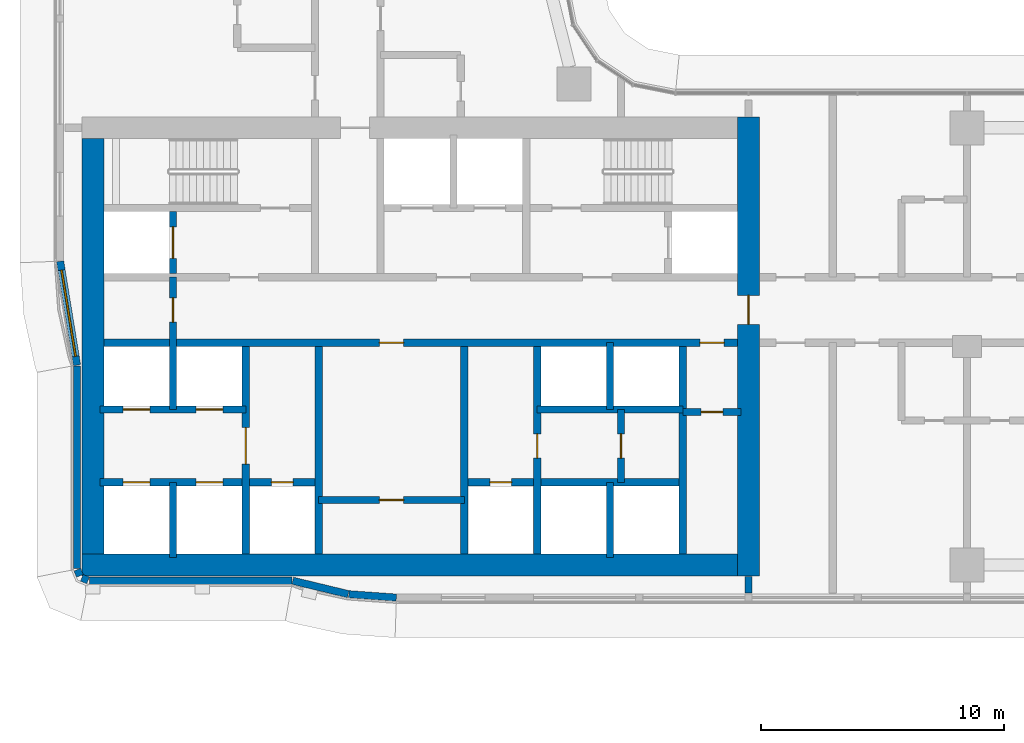
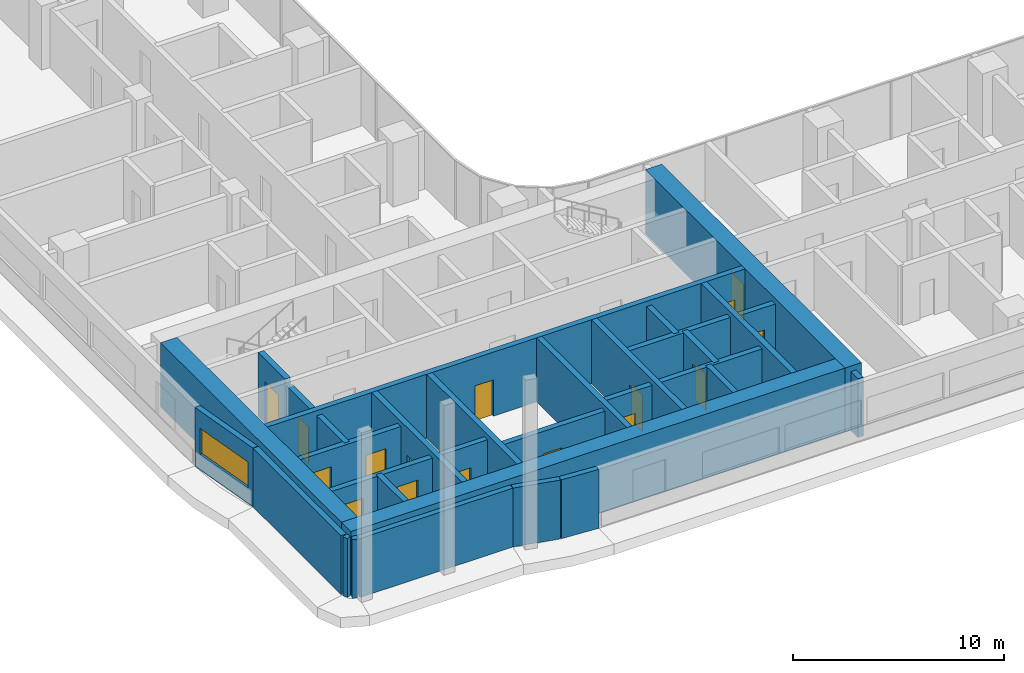
# One storey, part 16 of 36: 29 walls, 16 doors, 1 window, 17 openings.
"""IFC4 building model written with IfcOpenShell, lengths in metres."""

from ifc_helpers import new_model, si_unit, direction, frame, frame_2d, origin, place, context, subcontext, project, spatial, rectangle, extrude, material, layer, layer_set, type_object, element, fill, save


model = new_model("IFC4")

# Units and contexts
model_context = context("Model", 3, precision=1e-05, world=origin(), true_north=direction((0.0, 1.0)))
body_context = subcontext(model_context, "Body", "Model", "MODEL_VIEW")
ifc_project = project(units=[si_unit("LENGTHUNIT", "METRE"), si_unit("AREAUNIT", "SQUARE_METRE"), si_unit("VOLUMEUNIT", "CUBIC_METRE"), si_unit("PLANEANGLEUNIT", "RADIAN"), si_unit("MASSUNIT", "GRAM", prefix="KILO")], contexts=[model_context])

# Site, building, storey
site_placement = place(None, origin())
site = spatial("IfcSite", under=ifc_project, at=site_placement, CompositionType="ELEMENT")
building_placement = place(site_placement, origin())
building = spatial("IfcBuilding", under=site, at=building_placement, Name="Ogive Portal Towers", CompositionType="ELEMENT")
storey_placement = place(building_placement, frame((0.0, 0.0, 70.5)))
storey = spatial("IfcBuildingStorey", under=building, at=storey_placement, Name="L16", CompositionType="ELEMENT", Elevation=70.5)

# Wall, opening, door
ifc_material_1 = material(Name="Concrete C60/75", Category="concrete")
ifc_layer_1 = layer(ifc_material_1, 0.300048828125)
ifc_layer_set_1 = layer_set([ifc_layer_1], Name="CORE WALL 300 C60")
wall_type_1 = type_object("IfcWallType", Name="CORE WALL 300 C60", PredefinedType="SHEAR", material=ifc_layer_set_1)
wall_1_placement = place(storey_placement, frame((37.800048828125, 21.949951171875, 0.0), z_axis=(0.0, 0.0, 1.0), x_axis=(0.0, 1.0, 0.0)))
wall_1 = element("IfcWall", 1, at=wall_1_placement, inside=storey, type_object=wall_type_1, Name="Core wall X1 L16", PredefinedType="SHEAR", context=body_context, shape_type="SweptSolid", body=[
    extrude(rectangle(XDim=8.550048828125, YDim=0.300048828125, at=frame_2d((4.27490234375, 0.0))), origin(), (0.0, 0.0, 1.0), 3.699951171875),
])
opening_1_placement = place(wall_1_placement, frame((3.699951171875, 0.0, 0.0)))
opening_1 = element("IfcOpeningElement", 2, at=opening_1_placement, cuts=wall_1, Name="Opening D05-001", PredefinedType="OPENING", context=body_context, shape_type="SweptSolid", body=[
    extrude(rectangle(XDim=1.5, YDim=2.10009765625, at=frame_2d((0.75, 1.050048828125))), frame((0.0, 0.16015625, 0.0), z_axis=(0.0, -1.0, 0.0), x_axis=(1.0, 0.0, 0.0)), (0.0, 0.0, 1.0), 0.320068359375),
])
ifc_material_2 = material(Name="Steel fire door", Category="steel")
door_type_1 = type_object("IfcDoorType", Name="DT-SWING-1500x2100-FD90S", OperationType="SINGLE_SWING_LEFT", PredefinedType="DOOR", material=ifc_material_2)
door_1_placement = place(opening_1_placement, origin())
door_1 = element("IfcDoor", 3, at=door_1_placement, inside=storey, type_object=door_type_1, Name="Door D05-001", OperationType="SINGLE_SWING_LEFT", OverallHeight=2.10009765625, OverallWidth=1.5, PredefinedType="DOOR", context=body_context, shape_type="SweptSolid", body=[
    extrude(rectangle(XDim=1.5, YDim=2.10009765625, at=frame_2d((0.75, 1.050048828125))), frame((0.0, 0.02490234375, 0.0), z_axis=(0.0, -1.0, 0.0), x_axis=(1.0, 0.0, 0.0)), (0.0, 0.0, 1.0), 0.050048828125),
])
fill(opening_1, door_1)

# Walls
for number, where, z_axis, x_axis, name in (
    (4, (40.800048828125, 21.949951171875, 0.0), (0.0, 0.0, 1.0), (0.0, 1.0, 0.0), "Core wall X2 L16"),
    (5, (46.800048828125, 21.949951171875, 0.0), (0.0, 0.0, 1.0), (0.0, 1.0, 0.0), "Core wall X3 L16"),
):
    element("IfcWall", number, at=place(storey_placement, frame(where, z_axis=z_axis, x_axis=x_axis)), inside=storey, type_object=wall_type_1, Name=name, PredefinedType="SHEAR", context=body_context, shape_type="SweptSolid", body=[
        extrude(rectangle(XDim=8.550048828125, YDim=0.300048828125, at=frame_2d((4.27490234375, 0.0))), origin(), (0.0, 0.0, 1.0), 3.699951171875),
    ])

# Wall, opening, door
wall_2_placement = place(storey_placement, frame((49.800048828125, 21.949951171875, 0.0), z_axis=(0.0, 0.0, 1.0), x_axis=(0.0, 1.0, 0.0)))
wall_2 = element("IfcWall", 6, at=wall_2_placement, inside=storey, type_object=wall_type_1, Name="Core wall X4 L16", PredefinedType="SHEAR", context=body_context, shape_type="SweptSolid", body=[
    extrude(rectangle(XDim=8.550048828125, YDim=0.300048828125, at=frame_2d((4.27490234375, 0.0))), origin(), (0.0, 0.0, 1.0), 3.699951171875),
])
opening_2_placement = place(wall_2_placement, frame((3.949951171875, 0.0, 0.0)))
opening_2 = element("IfcOpeningElement", 7, at=opening_2_placement, cuts=wall_2, Name="Opening D05-023", PredefinedType="OPENING", context=body_context, shape_type="SweptSolid", body=[
    extrude(rectangle(XDim=1.0, YDim=2.10009765625, at=frame_2d((0.5, 1.050048828125))), frame((0.0, 0.16015625, 0.0), z_axis=(0.0, -1.0, 0.0), x_axis=(1.0, 0.0, 0.0)), (0.0, 0.0, 1.0), 0.320068359375),
])
door_type_2 = type_object("IfcDoorType", Name="DT-SWING-1000x2100-FD90S", OperationType="SINGLE_SWING_LEFT", PredefinedType="DOOR", material=ifc_material_2)
door_2_placement = place(opening_2_placement, origin())
door_2 = element("IfcDoor", 8, at=door_2_placement, inside=storey, type_object=door_type_2, Name="Door D05-023", OperationType="SINGLE_SWING_LEFT", OverallHeight=2.10009765625, OverallWidth=1.0, PredefinedType="DOOR", context=body_context, shape_type="SweptSolid", body=[
    extrude(rectangle(XDim=1.0, YDim=2.10009765625, at=frame_2d((0.5, 1.050048828125))), frame((0.0, 0.02490234375, 0.0), z_axis=(0.0, -1.0, 0.0), x_axis=(1.0, 0.0, 0.0)), (0.0, 0.0, 1.0), 0.050048828125),
])
fill(opening_2, door_2)

# Wall
wall_3_placement = place(storey_placement, frame((55.800048828125, 21.949951171875, 0.0), z_axis=(0.0, 0.0, 1.0), x_axis=(0.0, 1.0, 0.0)))
element("IfcWall", 9, at=wall_3_placement, inside=storey, type_object=wall_type_1, Name="Core wall X5 L16", PredefinedType="SHEAR", context=body_context, shape_type="SweptSolid", body=[
    extrude(rectangle(XDim=8.550048828125, YDim=0.300048828125, at=frame_2d((4.27490234375, 0.0))), origin(), (0.0, 0.0, 1.0), 3.699951171875),
])

# Wall, openings, doors
wall_4_placement = place(storey_placement, frame((31.949951171875, 30.64990234375, 0.0), z_axis=(0.0, 0.0, 1.0), x_axis=(1.0, 0.0, 0.0)))
wall_4 = element("IfcWall", 10, at=wall_4_placement, inside=storey, type_object=wall_type_1, Name="Core wall Y1 L16", PredefinedType="SHEAR", context=body_context, shape_type="SweptSolid", body=[
    extrude(rectangle(XDim=26.10009765625, YDim=0.300048828125, at=frame_2d((13.050048828125, 0.0))), origin(), (0.0, 0.0, 1.0), 3.699951171875),
])
opening_3_placement = place(wall_4_placement, frame((24.550048828125, 0.0, 0.0)))
opening_3 = element("IfcOpeningElement", 11, at=opening_3_placement, cuts=wall_4, Name="Opening D05-009", PredefinedType="OPENING", context=body_context, shape_type="SweptSolid", body=[
    extrude(rectangle(XDim=1.0, YDim=2.10009765625, at=frame_2d((0.5, 1.050048828125))), frame((0.0, 0.16015625, 0.0), z_axis=(0.0, -1.0, 0.0), x_axis=(1.0, 0.0, 0.0)), (0.0, 0.0, 1.0), 0.320068359375),
])
opening_4_placement = place(wall_4_placement, frame((11.35009765625, 0.0, 0.0)))
opening_4 = element("IfcOpeningElement", 12, at=opening_4_placement, cuts=wall_4, Name="Opening D05-021", PredefinedType="OPENING", context=body_context, shape_type="SweptSolid", body=[
    extrude(rectangle(XDim=1.0, YDim=2.10009765625, at=frame_2d((0.5, 1.050048828125))), frame((0.0, 0.16015625, 0.0), z_axis=(0.0, -1.0, 0.0), x_axis=(1.0, 0.0, 0.0)), (0.0, 0.0, 1.0), 0.320068359375),
])
door_3_placement = place(opening_3_placement, origin())
door_3 = element("IfcDoor", 13, at=door_3_placement, inside=storey, type_object=door_type_2, Name="Door D05-009", OperationType="SINGLE_SWING_LEFT", OverallHeight=2.10009765625, OverallWidth=1.0, PredefinedType="DOOR", context=body_context, shape_type="SweptSolid", body=[
    extrude(rectangle(XDim=1.0, YDim=2.10009765625, at=frame_2d((0.5, 1.050048828125))), frame((0.0, 0.02490234375, 0.0), z_axis=(0.0, -1.0, 0.0), x_axis=(1.0, 0.0, 0.0)), (0.0, 0.0, 1.0), 0.050048828125),
])
fill(opening_3, door_3)
door_4_placement = place(opening_4_placement, origin())
door_4 = element("IfcDoor", 14, at=door_4_placement, inside=storey, type_object=door_type_2, Name="Door D05-021", OperationType="SINGLE_SWING_LEFT", OverallHeight=2.10009765625, OverallWidth=1.0, PredefinedType="DOOR", context=body_context, shape_type="SweptSolid", body=[
    extrude(rectangle(XDim=1.0, YDim=2.10009765625, at=frame_2d((0.5, 1.050048828125))), frame((0.0, 0.02490234375, 0.0), z_axis=(0.0, -1.0, 0.0), x_axis=(1.0, 0.0, 0.0)), (0.0, 0.0, 1.0), 0.050048828125),
])
fill(opening_4, door_4)

# Wall, opening, door
wall_5_placement = place(storey_placement, frame((34.800048828125, 33.5, 0.0), z_axis=(0.0, 0.0, 1.0), x_axis=(0.0, 1.0, 0.0)))
wall_5 = element("IfcWall", 15, at=wall_5_placement, inside=storey, type_object=wall_type_1, Name="Core wall X8 L16", PredefinedType="SHEAR", context=body_context, shape_type="SweptSolid", body=[
    extrude(rectangle(XDim=2.550048828125, YDim=0.300048828125, at=frame_2d((1.27490234375, 0.0))), origin(), (0.0, 0.0, 1.0), 3.699951171875),
])
opening_5_placement = place(wall_5_placement, frame((0.625, 0.0, 0.0)))
opening_5 = element("IfcOpeningElement", 16, at=opening_5_placement, cuts=wall_5, Name="Opening D05-019", PredefinedType="OPENING", context=body_context, shape_type="SweptSolid", body=[
    extrude(rectangle(XDim=1.300048828125, YDim=2.39990234375, at=frame_2d((0.64990234375, 1.199951171875))), frame((0.0, 0.16015625, 0.0), z_axis=(0.0, -1.0, 0.0), x_axis=(1.0, 0.0, 0.0)), (0.0, 0.0, 1.0), 0.320068359375),
])
ifc_material_3 = material(Name="Stainless steel", Category="steel")
door_type_3 = type_object("IfcDoorType", Name="DT-LD-1300x2400", OperationType="SLIDING_TO_LEFT", PredefinedType="DOOR", material=ifc_material_3)
door_5_placement = place(opening_5_placement, origin())
door_5 = element("IfcDoor", 17, at=door_5_placement, inside=storey, type_object=door_type_3, Name="Door D05-019", OperationType="SLIDING_TO_LEFT", OverallHeight=2.39990234375, OverallWidth=1.300048828125, PredefinedType="DOOR", context=body_context, shape_type="SweptSolid", body=[
    extrude(rectangle(XDim=1.300048828125, YDim=2.39990234375, at=frame_2d((0.64990234375, 1.199951171875))), frame((0.0, 0.02490234375, 0.0), z_axis=(0.0, -1.0, 0.0), x_axis=(1.0, 0.0, 0.0)), (0.0, 0.0, 1.0), 0.050048828125),
])
fill(opening_5, door_5)

# Walls
ifc_layer_2 = layer(ifc_material_1, 0.89990234375)
ifc_layer_set_2 = layer_set([ifc_layer_2], Name="CORE WALL 900 C60")
wall_type_2 = type_object("IfcWallType", Name="CORE WALL 900 C60", PredefinedType="SHEAR", material=ifc_layer_set_2)
wall_6_placement = place(storey_placement, frame((31.5, 21.949951171875, 0.0), z_axis=(0.0, 0.0, 1.0), x_axis=(0.0, 1.0, 0.0)))
element("IfcWall", 18, at=wall_6_placement, inside=storey, type_object=wall_type_2, Name="Core wall W L16", PredefinedType="SHEAR", context=body_context, shape_type="SweptSolid", body=[
    extrude(rectangle(XDim=17.10009765625, YDim=0.89990234375, at=frame_2d((8.550048828125, 0.0))), origin(), (0.0, 0.0, 1.0), 3.699951171875),
])
wall_7_placement = place(storey_placement, frame((31.050048828125, 21.5, 0.0), z_axis=(0.0, 0.0, 1.0), x_axis=(1.0, 0.0, 0.0)))
element("IfcWall", 19, at=wall_7_placement, inside=storey, type_object=wall_type_2, Name="Core wall S L16", PredefinedType="SHEAR", context=body_context, shape_type="SweptSolid", body=[
    extrude(rectangle(XDim=27.0, YDim=0.89990234375, at=frame_2d((13.5, 0.0))), origin(), (0.0, 0.0, 1.0), 3.699951171875),
])

# Wall, opening, door
wall_8_placement = place(storey_placement, frame((58.5, 21.050048828125, 0.0), z_axis=(0.0, 0.0, 1.0), x_axis=(0.0, 1.0, 0.0)))
wall_8 = element("IfcWall", 20, at=wall_8_placement, inside=storey, type_object=wall_type_2, Name="Core wall E L16", PredefinedType="SHEAR", context=body_context, shape_type="SweptSolid", body=[
    extrude(rectangle(XDim=18.89990234375, YDim=0.89990234375, at=frame_2d((9.449951171875, 0.0))), origin(), (0.0, 0.0, 1.0), 3.699951171875),
])
opening_6_placement = place(wall_8_placement, frame((10.35009765625, 0.0, 0.0)))
opening_6 = element("IfcOpeningElement", 21, at=opening_6_placement, cuts=wall_8, Name="Opening D05-011", PredefinedType="OPENING", context=body_context, shape_type="SweptSolid", body=[
    extrude(rectangle(XDim=1.199951171875, YDim=2.10009765625, at=frame_2d((0.60009765625, 1.050048828125))), frame((0.0, 0.4599609375, 0.0), z_axis=(0.0, -1.0, 0.0), x_axis=(1.0, 0.0, 0.0)), (0.0, 0.0, 1.0), 0.919921875),
])
door_type_4 = type_object("IfcDoorType", Name="DT-SWING-1200x2100-FD90S", OperationType="SINGLE_SWING_LEFT", PredefinedType="DOOR", material=ifc_material_2)
door_6_placement = place(opening_6_placement, origin())
door_6 = element("IfcDoor", 22, at=door_6_placement, inside=storey, type_object=door_type_4, Name="Door D05-011", OperationType="SINGLE_SWING_LEFT", OverallHeight=2.10009765625, OverallWidth=1.199951171875, PredefinedType="DOOR", context=body_context, shape_type="SweptSolid", body=[
    extrude(rectangle(XDim=1.199951171875, YDim=2.10009765625, at=frame_2d((0.60009765625, 1.050048828125))), frame((0.0, 0.02490234375, 0.0), z_axis=(0.0, -1.0, 0.0), x_axis=(1.0, 0.0, 0.0)), (0.0, 0.0, 1.0), 0.050048828125),
])
fill(opening_6, door_6)

# Walls
ifc_material_4 = material(Name="Limestone cladding on lightweight block wall", Category="masonry")
ifc_layer_3 = layer(ifc_material_4, 0.300048828125)
ifc_layer_set_3 = layer_set([ifc_layer_3], Name="EXTERNAL WALL 300 STONE")
wall_type_3 = type_object("IfcWallType", Name="EXTERNAL WALL 300 STONE", PredefinedType="SOLIDWALL", material=ifc_layer_set_3)
wall_9_placement = place(storey_placement, frame((30.85009765625, 29.699462890625, 0.0), z_axis=(0.0, 0.0, 1.0), x_axis=(0.0, -1.0, 0.0)))
element("IfcWall", 23, at=wall_9_placement, inside=storey, type_object=wall_type_3, Name="A:L16:f00:r0:wall", PredefinedType="SOLIDWALL", context=body_context, shape_type="SweptSolid", body=[
    extrude(rectangle(XDim=8.33984375, YDim=0.300048828125, at=frame_2d((4.169921875, 0.0))), origin(), (0.0, 0.0, 1.0), 3.39990234375),
])
for number, where, z_axis, x_axis, name in (
    (24, (30.861328125, 21.30224609375, 0.0), (0.0, 0.0, 1.0), (0.38297812142, -0.923757413239, 0.0), "A:L16:f01:r0:wall"),
    (25, (31.0478515625, 20.966796875, 0.0), (0.0, 0.0, 1.0), (0.923757413239, -0.38297812142, 0.0), "A:L16:f02:r0:wall"),
):
    element("IfcWall", number, at=place(storey_placement, frame(where, z_axis=z_axis, x_axis=x_axis)), inside=storey, type_object=wall_type_3, Name=name, PredefinedType="SOLIDWALL", context=body_context, shape_type="SweptSolid", body=[
        extrude(rectangle(XDim=0.275390625, YDim=0.300048828125, at=frame_2d((0.1376953125, 0.0))), origin(), (0.0, 0.0, 1.0), 3.39990234375),
    ])
wall_10_placement = place(storey_placement, frame((31.359619140625, 20.85009765625, 0.0), z_axis=(0.0, 0.0, 1.0), x_axis=(1.0, 0.0, 0.0)))
element("IfcWall", 26, at=wall_10_placement, inside=storey, type_object=wall_type_3, Name="A:L16:f03:r0:wall", PredefinedType="SOLIDWALL", context=body_context, shape_type="SweptSolid", body=[
    extrude(rectangle(XDim=8.33984375, YDim=0.300048828125, at=frame_2d((4.169921875, 0.0))), origin(), (0.0, 0.0, 1.0), 3.39990234375),
])
wall_11_placement = place(storey_placement, frame((39.734619140625, 20.845703125, 0.0), z_axis=(0.0, 0.0, 1.0), x_axis=(0.97206095595, -0.234728562212, 0.0)))
element("IfcWall", 27, at=wall_11_placement, inside=storey, type_object=wall_type_3, Name="A:L16:f04:r0:wall", PredefinedType="SOLIDWALL", context=body_context, shape_type="SweptSolid", body=[
    extrude(rectangle(XDim=2.349609375, YDim=0.300048828125, at=frame_2d((1.1748046875, 0.0))), origin(), (0.0, 0.0, 1.0), 3.39990234375),
])
wall_12_placement = place(storey_placement, frame((42.043212890625, 20.290283203125, 0.0), z_axis=(0.0, 0.0, 1.0), x_axis=(0.997454275884, -0.071308958214, 0.0)))
element("IfcWall", 28, at=wall_12_placement, inside=storey, type_object=wall_type_3, Name="A:L16:f05:r0:wall", PredefinedType="SOLIDWALL", context=body_context, shape_type="SweptSolid", body=[
    extrude(rectangle(XDim=1.961669921875, YDim=0.300048828125, at=frame_2d((0.98095703125, 0.0))), origin(), (0.0, 0.0, 1.0), 3.39990234375),
])

# Wall, opening, window
wall_13_placement = place(storey_placement, frame((30.15185546875, 34.000244140625, 0.0), z_axis=(0.0, 0.0, 1.0), x_axis=(0.160697303067, -0.987003736967, 0.0)))
wall_13 = element("IfcWall", 29, at=wall_13_placement, inside=storey, type_object=wall_type_3, Name="A:L16:f25:r0:wall", PredefinedType="SOLIDWALL", context=body_context, shape_type="SweptSolid", body=[
    extrude(rectangle(XDim=4.3330078125, YDim=0.300048828125, at=frame_2d((2.16650390625, 0.0))), origin(), (0.0, 0.0, 1.0), 3.39990234375),
])
opening_7_placement = place(wall_13_placement, frame((0.366455078125, 0.0, 0.89990234375)))
opening_7 = element("IfcOpeningElement", 30, at=opening_7_placement, cuts=wall_13, Name="Opening WN12", PredefinedType="OPENING", context=body_context, shape_type="SweptSolid", body=[
    extrude(rectangle(XDim=3.60009765625, YDim=1.5, at=frame_2d((1.800048828125, 0.75))), frame((0.0, 0.16015625, 0.0), z_axis=(0.0, -1.0, 0.0), x_axis=(1.0, 0.0, 0.0)), (0.0, 0.0, 1.0), 0.320068359375),
])
ifc_material_5 = material(Name="Glass, clear low-iron insulated glazing", Category="glass")
window_type = type_object("IfcWindowType", Name="WINDOW RIBBON 3600x1500", PartitioningType="TRIPLE_PANEL_VERTICAL", PredefinedType="WINDOW", material=ifc_material_5)
window_placement = place(opening_7_placement, origin())
window = element("IfcWindow", 31, at=window_placement, inside=storey, type_object=window_type, Name="A:L16:f25:r0:w0", OverallHeight=1.5, OverallWidth=3.60009765625, PartitioningType="SINGLE_PANEL", PredefinedType="WINDOW", context=body_context, shape_type="SweptSolid", body=[
    extrude(rectangle(XDim=3.60009765625, YDim=1.5, at=frame_2d((1.800048828125, 0.75))), frame((0.0, 0.030029296875, 0.0), z_axis=(0.0, -1.0, 0.0), x_axis=(1.0, 0.0, 0.0)), (0.0, 0.0, 1.0), 0.06005859375),
])
fill(opening_7, window)

# Wall, opening, door
ifc_material_6 = material(Name="Gypsum board partition on steel studs", Category="steel")
ifc_layer_4 = layer(ifc_material_6, 0.300048828125)
ifc_layer_set_4 = layer_set([ifc_layer_4], Name="WT-PART-300")
wall_type_4 = type_object("IfcWallType", Name="WT-PART-300", PredefinedType="PARTITIONING", material=ifc_layer_set_4)
wall_14_placement = place(storey_placement, frame((40.800048828125, 24.173095703125, 0.0), z_axis=(0.0, 0.0, 1.0), x_axis=(1.0, 0.0, 0.0)))
wall_14 = element("IfcWall", 32, at=wall_14_placement, inside=storey, type_object=wall_type_4, Name="Wall pw:001:L16", PredefinedType="PARTITIONING", context=body_context, shape_type="SweptSolid", body=[
    extrude(rectangle(XDim=6.0, YDim=0.300048828125, at=frame_2d((3.0, 0.0))), origin(), (0.0, 0.0, 1.0), 3.39990234375),
])
opening_8_placement = place(wall_14_placement, frame((2.5, 0.0, 0.0)))
opening_8 = element("IfcOpeningElement", 33, at=opening_8_placement, cuts=wall_14, Name="Opening D05-022", PredefinedType="OPENING", context=body_context, shape_type="SweptSolid", body=[
    extrude(rectangle(XDim=1.0, YDim=2.10009765625, at=frame_2d((0.5, 1.050048828125))), frame((0.0, 0.16015625, 0.0), z_axis=(0.0, -1.0, 0.0), x_axis=(1.0, 0.0, 0.0)), (0.0, 0.0, 1.0), 0.320068359375),
])
door_type_5 = type_object("IfcDoorType", Name="DT-SWING-1000x2100-FD60S", OperationType="SINGLE_SWING_LEFT", PredefinedType="DOOR", material=ifc_material_2)
door_7_placement = place(opening_8_placement, origin())
door_7 = element("IfcDoor", 34, at=door_7_placement, inside=storey, type_object=door_type_5, Name="Riser access door D05-022", OperationType="SINGLE_SWING_RIGHT", OverallHeight=2.10009765625, OverallWidth=1.0, PredefinedType="DOOR", context=body_context, shape_type="SweptSolid", body=[
    extrude(rectangle(XDim=1.0, YDim=2.10009765625, at=frame_2d((0.5, 1.050048828125))), frame((0.0, 0.02490234375, 0.0), z_axis=(0.0, -1.0, 0.0), x_axis=(1.0, 0.0, 0.0)), (0.0, 0.0, 1.0), 0.050048828125),
])
fill(opening_8, door_7)

wall_15_placement = place(storey_placement, frame((55.800048828125, 27.800048828125, 0.0), z_axis=(0.0, 0.0, 1.0), x_axis=(1.0, 0.0, 0.0)))
wall_15 = element("IfcWall", 35, at=wall_15_placement, inside=storey, type_object=wall_type_4, Name="Wall pw:004:L16", PredefinedType="PARTITIONING", context=body_context, shape_type="SweptSolid", body=[
    extrude(rectangle(XDim=2.39990234375, YDim=0.300048828125, at=frame_2d((1.199951171875, 0.0))), origin(), (0.0, 0.0, 1.0), 3.39990234375),
])
opening_9_placement = place(wall_15_placement, frame((0.75, 0.0, 0.0)))
opening_9 = element("IfcOpeningElement", 36, at=opening_9_placement, cuts=wall_15, Name="Opening D05-010", PredefinedType="OPENING", context=body_context, shape_type="SweptSolid", body=[
    extrude(rectangle(XDim=0.89990234375, YDim=2.10009765625, at=frame_2d((0.449951171875, 1.050048828125))), frame((0.0, 0.16015625, 0.0), z_axis=(0.0, -1.0, 0.0), x_axis=(1.0, 0.0, 0.0)), (0.0, 0.0, 1.0), 0.320068359375),
])
door_type_6 = type_object("IfcDoorType", Name="DT-SWING-900x2100-FD60S", OperationType="SINGLE_SWING_LEFT", PredefinedType="DOOR", material=ifc_material_2)
door_8_placement = place(opening_9_placement, origin())
door_8 = element("IfcDoor", 37, at=door_8_placement, inside=storey, type_object=door_type_6, Name="Door D05-010", OperationType="SINGLE_SWING_RIGHT", OverallHeight=2.10009765625, OverallWidth=0.89990234375, PredefinedType="DOOR", context=body_context, shape_type="SweptSolid", body=[
    extrude(rectangle(XDim=0.89990234375, YDim=2.10009765625, at=frame_2d((0.449951171875, 1.050048828125))), frame((0.0, 0.02490234375, 0.0), z_axis=(0.0, -1.0, 0.0), x_axis=(1.0, 0.0, 0.0)), (0.0, 0.0, 1.0), 0.050048828125),
])
fill(opening_9, door_8)

# Wall
ifc_layer_5 = layer(ifc_material_6, 0.300048828125)
ifc_layer_set_5 = layer_set([ifc_layer_5], Name="WT-PART-300-EI 60")
wall_type_5 = type_object("IfcWallType", Name="WT-PART-300-EI 60", PredefinedType="PARTITIONING", material=ifc_layer_set_5)
wall_16_placement = place(storey_placement, frame((58.5, 20.35009765625, 0.0), z_axis=(0.0, 0.0, 1.0), x_axis=(0.0, 1.0, 0.0)))
element("IfcWall", 38, at=wall_16_placement, inside=storey, type_object=wall_type_5, Name="Wall L16:w043", PredefinedType="PARTITIONING", context=body_context, shape_type="SweptSolid", body=[
    extrude(rectangle(XDim=0.679931640625, YDim=0.300048828125, at=frame_2d((0.33984375, 0.0))), origin(), (0.0, 0.0, 1.0), 3.39990234375),
])

# Wall, openings, doors
ifc_material_7 = material(Name="Concrete C40/50", Category="concrete")
ifc_layer_6 = layer(ifc_material_7, 0.300048828125)
ifc_layer_set_6 = layer_set([ifc_layer_6], Name="WT-SHAFT-300")
wall_type_6 = type_object("IfcWallType", Name="WT-SHAFT-300", PredefinedType="SOLIDWALL", material=ifc_layer_set_6)
wall_17_placement = place(storey_placement, frame((31.800048828125, 24.89990234375, 0.0), z_axis=(0.0, 0.0, 1.0), x_axis=(1.0, 0.0, 0.0)))
wall_17 = element("IfcWall", 39, at=wall_17_placement, inside=storey, type_object=wall_type_6, Name="Wall pw:002:L16", PredefinedType="SOLIDWALL", context=body_context, shape_type="SweptSolid", body=[
    extrude(rectangle(XDim=9.0, YDim=0.300048828125, at=frame_2d((4.5, 0.0))), origin(), (0.0, 0.0, 1.0), 3.39990234375),
])
opening_10_placement = place(wall_17_placement, frame((7.050048828125, 0.0, 0.0)))
opening_10 = element("IfcOpeningElement", 40, at=opening_10_placement, cuts=wall_17, Name="Opening D05-007", PredefinedType="OPENING", context=body_context, shape_type="SweptSolid", body=[
    extrude(rectangle(XDim=0.89990234375, YDim=2.10009765625, at=frame_2d((0.449951171875, 1.050048828125))), frame((0.0, 0.16015625, 0.0), z_axis=(0.0, -1.0, 0.0), x_axis=(1.0, 0.0, 0.0)), (0.0, 0.0, 1.0), 0.320068359375),
])
opening_11_placement = place(wall_17_placement, frame((0.949951171875, 0.0, 0.0)))
opening_11 = element("IfcOpeningElement", 41, at=opening_11_placement, cuts=wall_17, Name="Opening D05-013", PredefinedType="OPENING", context=body_context, shape_type="SweptSolid", body=[
    extrude(rectangle(XDim=1.10009765625, YDim=2.39990234375, at=frame_2d((0.550048828125, 1.199951171875))), frame((0.0, 0.16015625, 0.0), z_axis=(0.0, -1.0, 0.0), x_axis=(1.0, 0.0, 0.0)), (0.0, 0.0, 1.0), 0.320068359375),
])
opening_12_placement = place(wall_17_placement, frame((3.949951171875, 0.0, 0.0)))
opening_12 = element("IfcOpeningElement", 42, at=opening_12_placement, cuts=wall_17, Name="Opening D05-014", PredefinedType="OPENING", context=body_context, shape_type="SweptSolid", body=[
    extrude(rectangle(XDim=1.10009765625, YDim=2.39990234375, at=frame_2d((0.550048828125, 1.199951171875))), frame((0.0, 0.16015625, 0.0), z_axis=(0.0, -1.0, 0.0), x_axis=(1.0, 0.0, 0.0)), (0.0, 0.0, 1.0), 0.320068359375),
])
door_type_7 = type_object("IfcDoorType", Name="DT-LD-1100x2400", OperationType="SLIDING_TO_LEFT", PredefinedType="DOOR", material=ifc_material_3)
door_9_placement = place(opening_11_placement, origin())
door_9 = element("IfcDoor", 43, at=door_9_placement, inside=storey, type_object=door_type_7, Name="Door D05-013", OperationType="SLIDING_TO_LEFT", OverallHeight=2.39990234375, OverallWidth=1.10009765625, PredefinedType="DOOR", context=body_context, shape_type="SweptSolid", body=[
    extrude(rectangle(XDim=1.10009765625, YDim=2.39990234375, at=frame_2d((0.550048828125, 1.199951171875))), frame((0.0, 0.02490234375, 0.0), z_axis=(0.0, -1.0, 0.0), x_axis=(1.0, 0.0, 0.0)), (0.0, 0.0, 1.0), 0.050048828125),
])
fill(opening_11, door_9)
door_10_placement = place(opening_12_placement, origin())
door_10 = element("IfcDoor", 44, at=door_10_placement, inside=storey, type_object=door_type_7, Name="Door D05-014", OperationType="SLIDING_TO_LEFT", OverallHeight=2.39990234375, OverallWidth=1.10009765625, PredefinedType="DOOR", context=body_context, shape_type="SweptSolid", body=[
    extrude(rectangle(XDim=1.10009765625, YDim=2.39990234375, at=frame_2d((0.550048828125, 1.199951171875))), frame((0.0, 0.02490234375, 0.0), z_axis=(0.0, -1.0, 0.0), x_axis=(1.0, 0.0, 0.0)), (0.0, 0.0, 1.0), 0.050048828125),
])
fill(opening_12, door_10)
door_type_8 = type_object("IfcDoorType", Name="DT-SWING-900x2100-FD90S", OperationType="SINGLE_SWING_LEFT", PredefinedType="DOOR", material=ifc_material_2)
door_11_placement = place(opening_10_placement, origin())
door_11 = element("IfcDoor", 45, at=door_11_placement, inside=storey, type_object=door_type_8, Name="Riser access door D05-007", OperationType="SINGLE_SWING_LEFT", OverallHeight=2.10009765625, OverallWidth=0.89990234375, PredefinedType="DOOR", context=body_context, shape_type="SweptSolid", body=[
    extrude(rectangle(XDim=0.89990234375, YDim=2.10009765625, at=frame_2d((0.449951171875, 1.050048828125))), frame((0.0, 0.02490234375, 0.0), z_axis=(0.0, -1.0, 0.0), x_axis=(1.0, 0.0, 0.0)), (0.0, 0.0, 1.0), 0.050048828125),
])
fill(opening_10, door_11)

# Wall, opening, door
wall_18_placement = place(storey_placement, frame((46.800048828125, 24.89990234375, 0.0), z_axis=(0.0, 0.0, 1.0), x_axis=(1.0, 0.0, 0.0)))
wall_18 = element("IfcWall", 46, at=wall_18_placement, inside=storey, type_object=wall_type_6, Name="Wall pw:003:L16", PredefinedType="SOLIDWALL", context=body_context, shape_type="SweptSolid", body=[
    extrude(rectangle(XDim=9.0, YDim=0.300048828125, at=frame_2d((4.5, 0.0))), origin(), (0.0, 0.0, 1.0), 3.39990234375),
])
opening_13_placement = place(wall_18_placement, frame((1.050048828125, 0.0, 0.0)))
opening_13 = element("IfcOpeningElement", 47, at=opening_13_placement, cuts=wall_18, Name="Opening D05-008", PredefinedType="OPENING", context=body_context, shape_type="SweptSolid", body=[
    extrude(rectangle(XDim=0.89990234375, YDim=2.10009765625, at=frame_2d((0.449951171875, 1.050048828125))), frame((0.0, 0.16015625, 0.0), z_axis=(0.0, -1.0, 0.0), x_axis=(1.0, 0.0, 0.0)), (0.0, 0.0, 1.0), 0.320068359375),
])
door_12_placement = place(opening_13_placement, origin())
door_12 = element("IfcDoor", 48, at=door_12_placement, inside=storey, type_object=door_type_8, Name="Riser access door D05-008", OperationType="SINGLE_SWING_RIGHT", OverallHeight=2.10009765625, OverallWidth=0.89990234375, PredefinedType="DOOR", context=body_context, shape_type="SweptSolid", body=[
    extrude(rectangle(XDim=0.89990234375, YDim=2.10009765625, at=frame_2d((0.449951171875, 1.050048828125))), frame((0.0, 0.02490234375, 0.0), z_axis=(0.0, -1.0, 0.0), x_axis=(1.0, 0.0, 0.0)), (0.0, 0.0, 1.0), 0.050048828125),
])
fill(opening_13, door_12)

# Wall, openings, doors
wall_19_placement = place(storey_placement, frame((31.800048828125, 27.89990234375, 0.0), z_axis=(0.0, 0.0, 1.0), x_axis=(1.0, 0.0, 0.0)))
wall_19 = element("IfcWall", 49, at=wall_19_placement, inside=storey, type_object=wall_type_6, Name="Wall pw:005:L16", PredefinedType="SOLIDWALL", context=body_context, shape_type="SweptSolid", body=[
    extrude(rectangle(XDim=6.0, YDim=0.300048828125, at=frame_2d((3.0, 0.0))), origin(), (0.0, 0.0, 1.0), 3.39990234375),
])
opening_14_placement = place(wall_19_placement, frame((0.949951171875, 0.0, 0.0)))
opening_14 = element("IfcOpeningElement", 50, at=opening_14_placement, cuts=wall_19, Name="Opening D05-015", PredefinedType="OPENING", context=body_context, shape_type="SweptSolid", body=[
    extrude(rectangle(XDim=1.10009765625, YDim=2.39990234375, at=frame_2d((0.550048828125, 1.199951171875))), frame((0.0, 0.16015625, 0.0), z_axis=(0.0, -1.0, 0.0), x_axis=(1.0, 0.0, 0.0)), (0.0, 0.0, 1.0), 0.320068359375),
])
opening_15_placement = place(wall_19_placement, frame((3.949951171875, 0.0, 0.0)))
opening_15 = element("IfcOpeningElement", 51, at=opening_15_placement, cuts=wall_19, Name="Opening D05-016", PredefinedType="OPENING", context=body_context, shape_type="SweptSolid", body=[
    extrude(rectangle(XDim=1.10009765625, YDim=2.39990234375, at=frame_2d((0.550048828125, 1.199951171875))), frame((0.0, 0.16015625, 0.0), z_axis=(0.0, -1.0, 0.0), x_axis=(1.0, 0.0, 0.0)), (0.0, 0.0, 1.0), 0.320068359375),
])
door_13_placement = place(opening_14_placement, origin())
door_13 = element("IfcDoor", 52, at=door_13_placement, inside=storey, type_object=door_type_7, Name="Door D05-015", OperationType="SLIDING_TO_LEFT", OverallHeight=2.39990234375, OverallWidth=1.10009765625, PredefinedType="DOOR", context=body_context, shape_type="SweptSolid", body=[
    extrude(rectangle(XDim=1.10009765625, YDim=2.39990234375, at=frame_2d((0.550048828125, 1.199951171875))), frame((0.0, 0.02490234375, 0.0), z_axis=(0.0, -1.0, 0.0), x_axis=(1.0, 0.0, 0.0)), (0.0, 0.0, 1.0), 0.050048828125),
])
fill(opening_14, door_13)
door_14_placement = place(opening_15_placement, origin())
door_14 = element("IfcDoor", 53, at=door_14_placement, inside=storey, type_object=door_type_7, Name="Door D05-016", OperationType="SLIDING_TO_LEFT", OverallHeight=2.39990234375, OverallWidth=1.10009765625, PredefinedType="DOOR", context=body_context, shape_type="SweptSolid", body=[
    extrude(rectangle(XDim=1.10009765625, YDim=2.39990234375, at=frame_2d((0.550048828125, 1.199951171875))), frame((0.0, 0.02490234375, 0.0), z_axis=(0.0, -1.0, 0.0), x_axis=(1.0, 0.0, 0.0)), (0.0, 0.0, 1.0), 0.050048828125),
])
fill(opening_15, door_14)

# Walls
wall_20_placement = place(storey_placement, frame((49.800048828125, 27.89990234375, 0.0), z_axis=(0.0, 0.0, 1.0), x_axis=(1.0, 0.0, 0.0)))
element("IfcWall", 54, at=wall_20_placement, inside=storey, type_object=wall_type_6, Name="Wall pw:006:L16", PredefinedType="SOLIDWALL", context=body_context, shape_type="SweptSolid", body=[
    extrude(rectangle(XDim=6.0, YDim=0.300048828125, at=frame_2d((3.0, 0.0))), origin(), (0.0, 0.0, 1.0), 3.39990234375),
])
wall_21_placement = place(storey_placement, frame((34.800048828125, 21.800048828125, 0.0), z_axis=(0.0, 0.0, 1.0), x_axis=(0.0, 1.0, 0.0)))
element("IfcWall", 55, at=wall_21_placement, inside=storey, type_object=wall_type_6, Name="Wall pw:007:L16", PredefinedType="SOLIDWALL", context=body_context, shape_type="SweptSolid", body=[
    extrude(rectangle(XDim=3.099853515625, YDim=0.300048828125, at=frame_2d((1.5498046875, 0.0))), origin(), (0.0, 0.0, 1.0), 3.39990234375),
])

# Wall, opening, door
wall_22_placement = place(storey_placement, frame((34.800048828125, 27.89990234375, 0.0), z_axis=(0.0, 0.0, 1.0), x_axis=(0.0, 1.0, 0.0)))
wall_22 = element("IfcWall", 56, at=wall_22_placement, inside=storey, type_object=wall_type_6, Name="Wall pw:008:L16", PredefinedType="SOLIDWALL", context=body_context, shape_type="SweptSolid", body=[
    extrude(rectangle(XDim=5.4501953125, YDim=0.300048828125, at=frame_2d((2.72509765625, 0.0))), origin(), (0.0, 0.0, 1.0), 3.39990234375),
])
opening_16_placement = place(wall_22_placement, frame((3.60009765625, 0.0, 0.0)))
opening_16 = element("IfcOpeningElement", 57, at=opening_16_placement, cuts=wall_22, Name="Opening D05-025", PredefinedType="OPENING", context=body_context, shape_type="SweptSolid", body=[
    extrude(rectangle(XDim=1.0, YDim=2.10009765625, at=frame_2d((0.5, 1.050048828125))), frame((0.0, 0.16015625, 0.0), z_axis=(0.0, -1.0, 0.0), x_axis=(1.0, 0.0, 0.0)), (0.0, 0.0, 1.0), 0.320068359375),
])
door_15_placement = place(opening_16_placement, origin())
door_15 = element("IfcDoor", 58, at=door_15_placement, inside=storey, type_object=door_type_2, Name="Door D05-025", OperationType="SINGLE_SWING_LEFT", OverallHeight=2.10009765625, OverallWidth=1.0, PredefinedType="DOOR", context=body_context, shape_type="SweptSolid", body=[
    extrude(rectangle(XDim=1.0, YDim=2.10009765625, at=frame_2d((0.5, 1.050048828125))), frame((0.0, 0.02490234375, 0.0), z_axis=(0.0, -1.0, 0.0), x_axis=(1.0, 0.0, 0.0)), (0.0, 0.0, 1.0), 0.050048828125),
])
fill(opening_16, door_15)

# Walls
wall_23_placement = place(storey_placement, frame((52.800048828125, 21.800048828125, 0.0), z_axis=(0.0, 0.0, 1.0), x_axis=(0.0, 1.0, 0.0)))
element("IfcWall", 59, at=wall_23_placement, inside=storey, type_object=wall_type_6, Name="Wall pw:010:L16", PredefinedType="SOLIDWALL", context=body_context, shape_type="SweptSolid", body=[
    extrude(rectangle(XDim=3.099853515625, YDim=0.300048828125, at=frame_2d((1.5498046875, 0.0))), origin(), (0.0, 0.0, 1.0), 3.39990234375),
])
wall_24_placement = place(storey_placement, frame((52.800048828125, 27.89990234375, 0.0), z_axis=(0.0, 0.0, 1.0), x_axis=(0.0, 1.0, 0.0)))
element("IfcWall", 60, at=wall_24_placement, inside=storey, type_object=wall_type_6, Name="Wall pw:011:L16", PredefinedType="SOLIDWALL", context=body_context, shape_type="SweptSolid", body=[
    extrude(rectangle(XDim=2.75, YDim=0.300048828125, at=frame_2d((1.375, 0.0))), origin(), (0.0, 0.0, 1.0), 3.39990234375),
])

# Wall, opening, door
wall_25_placement = place(storey_placement, frame((53.25, 24.89990234375, 0.0), z_axis=(0.0, 0.0, 1.0), x_axis=(0.0, 1.0, 0.0)))
wall_25 = element("IfcWall", 61, at=wall_25_placement, inside=storey, type_object=wall_type_6, Name="Wall pw:012:L16", PredefinedType="SOLIDWALL", context=body_context, shape_type="SweptSolid", body=[
    extrude(rectangle(XDim=3.0, YDim=0.300048828125, at=frame_2d((1.5, 0.0))), origin(), (0.0, 0.0, 1.0), 3.39990234375),
])
opening_17_placement = place(wall_25_placement, frame((1.0, 0.0, 0.0)))
opening_17 = element("IfcOpeningElement", 62, at=opening_17_placement, cuts=wall_25, Name="Opening D05-024", PredefinedType="OPENING", context=body_context, shape_type="SweptSolid", body=[
    extrude(rectangle(XDim=1.0, YDim=2.10009765625, at=frame_2d((0.5, 1.050048828125))), frame((0.0, 0.16015625, 0.0), z_axis=(0.0, -1.0, 0.0), x_axis=(1.0, 0.0, 0.0)), (0.0, 0.0, 1.0), 0.320068359375),
])
door_16_placement = place(opening_17_placement, origin())
door_16 = element("IfcDoor", 63, at=door_16_placement, inside=storey, type_object=door_type_2, Name="Door D05-024", OperationType="SINGLE_SWING_RIGHT", OverallHeight=2.10009765625, OverallWidth=1.0, PredefinedType="DOOR", context=body_context, shape_type="SweptSolid", body=[
    extrude(rectangle(XDim=1.0, YDim=2.10009765625, at=frame_2d((0.5, 1.050048828125))), frame((0.0, 0.02490234375, 0.0), z_axis=(0.0, -1.0, 0.0), x_axis=(1.0, 0.0, 0.0)), (0.0, 0.0, 1.0), 0.050048828125),
])
fill(opening_17, door_16)

save(model, "model.ifc")
